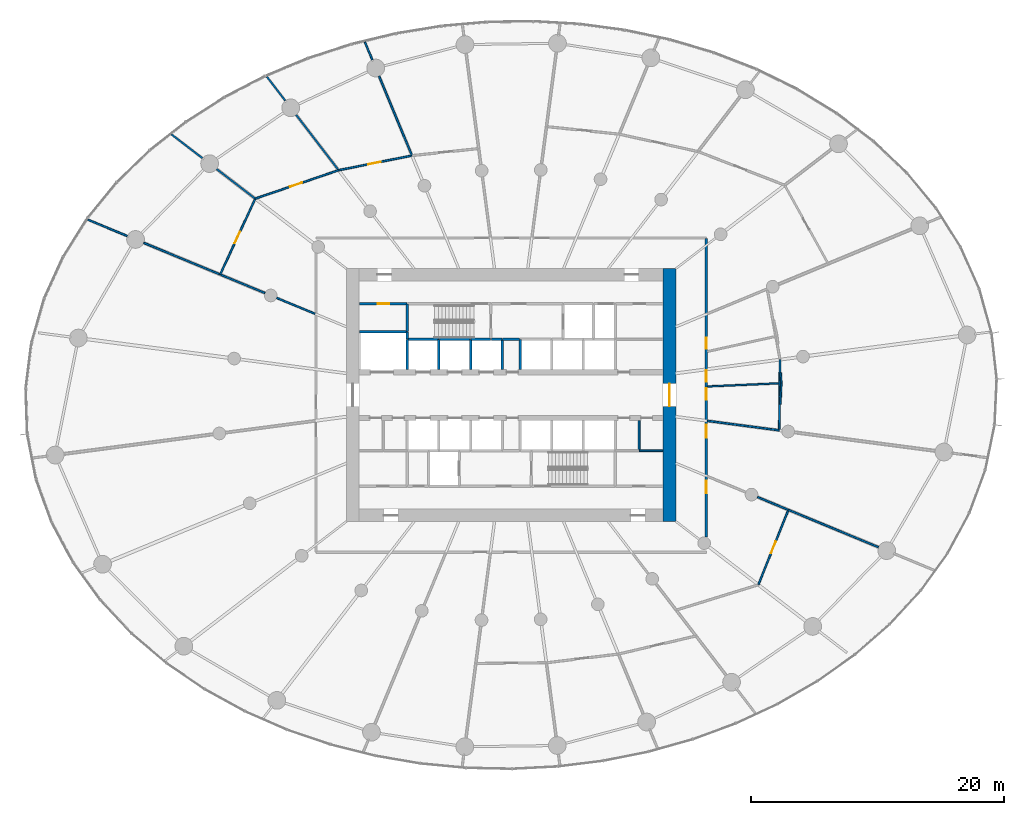
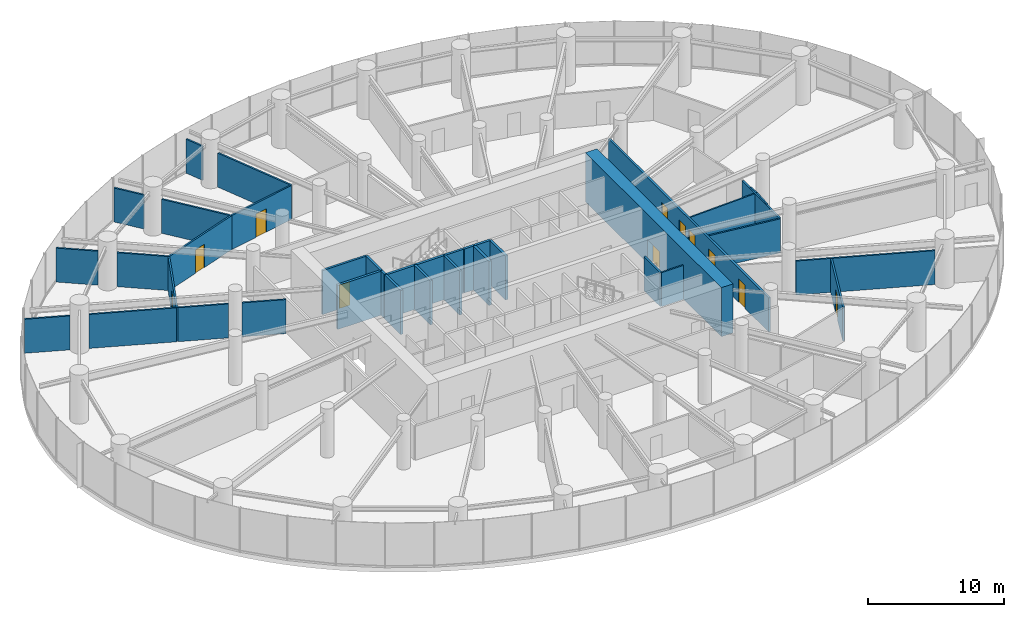
# One storey, part 14 of 19: 39 walls, 11 doors, 11 openings.
"""IFC4 building model written with IfcOpenShell, lengths in metres."""

from ifc_helpers import new_model, si_unit, direction, frame, frame_2d, origin, place, context, subcontext, project, spatial, rectangle, extrude, source, transform, mapped, material, layer, layer_set, type_object, element, fill, save


model = new_model("IFC4")

# Units and contexts
model_context = context("Model", 3, precision=1e-05, world=origin(), true_north=direction((0.0, 1.0)))
body_context = subcontext(model_context, "Body", "Model", "MODEL_VIEW")
ifc_project = project(units=[si_unit("LENGTHUNIT", "METRE"), si_unit("AREAUNIT", "SQUARE_METRE"), si_unit("VOLUMEUNIT", "CUBIC_METRE"), si_unit("PLANEANGLEUNIT", "RADIAN"), si_unit("MASSUNIT", "GRAM", prefix="KILO")], contexts=[model_context])

# Site, building, storey
site_placement = place(None, origin())
site = spatial("IfcSite", under=ifc_project, at=site_placement, CompositionType="ELEMENT")
building_placement = place(site_placement, origin())
building = spatial("IfcBuilding", under=site, at=building_placement, Name="Spindrift Exchange Tower", CompositionType="ELEMENT")
storey_placement = place(building_placement, frame((0.0, 0.0, 27.0)))
storey = spatial("IfcBuildingStorey", under=building, at=storey_placement, Name="L06", CompositionType="ELEMENT", Elevation=27.0)

# Wall, opening, door
ifc_material_1 = material(Name="Concrete 80 MPa", Category="concrete")
ifc_layer_1 = layer(ifc_material_1, 1.0)
ifc_layer_set_1 = layer_set([ifc_layer_1], Name="RC Core Wall 1000 Concrete 80 MPa")
wall_type_1 = type_object("IfcWallType", Name="RC Core Wall 1000 Concrete 80 MPa", PredefinedType="SHEAR", material=ifc_layer_set_1)
wall_1_placement = place(storey_placement, frame((64.5, 38.0, 0.0), z_axis=(0.0, 0.0, 1.0), x_axis=(0.0, 1.0, 0.0)))
wall_1 = element("IfcWall", 1, at=wall_1_placement, inside=storey, type_object=wall_type_1, Name="Core wall E L06", PredefinedType="SHEAR", context=body_context, shape_type="SweptSolid", body=[
    extrude(rectangle(XDim=20.0, YDim=1.0, at=frame_2d((10.0, 0.0))), origin(), (0.0, 0.0, 1.0), 4.39990234375),
])
opening_1_placement = place(wall_1_placement, frame((9.10009765625, 0.0, 0.0)))
opening_1 = element("IfcOpeningElement", 2, at=opening_1_placement, cuts=wall_1, Name="Opening L06-D2", PredefinedType="OPENING", context=body_context, shape_type="SweptSolid", body=[
    extrude(rectangle(XDim=1.800048828125, YDim=2.10009765625, at=frame_2d((0.89990234375, 1.050048828125))), frame((0.0, 0.510009765625, 0.0), z_axis=(0.0, -1.0, 0.0), x_axis=(1.0, 0.0, 0.0)), (0.0, 0.0, 1.0), 1.02001953125),
])
ifc_material_2 = material(Name="Timber-core fire door", Category="wood")
door_type_1 = type_object("IfcDoorType", Name="DR-LOBBY-1800", OperationType="NOTDEFINED", PredefinedType="DOOR", material=ifc_material_2)
shared_shape_1 = source(origin(), body_context, "Body", "SweptSolid", [
    extrude(rectangle(XDim=1.800048828125, YDim=2.10009765625, at=frame_2d((0.89990234375, 1.050048828125))), frame((0.0, 0.02490234375, 0.0), z_axis=(0.0, -1.0, 0.0), x_axis=(1.0, 0.0, 0.0)), (0.0, 0.0, 1.0), 0.050048828125),
])
door_1_placement = place(opening_1_placement, origin())
door_1 = element("IfcDoor", 3, at=door_1_placement, inside=storey, type_object=door_type_1, Name="L06 Lobby door 2", OperationType="SINGLE_SWING_LEFT", OverallHeight=2.10009765625, OverallWidth=1.800048828125, PredefinedType="DOOR", context=body_context, shape_type="MappedRepresentation", body=[
    mapped(shared_shape_1, transform((0.0, 0.0, 0.0), scale=1.0)),
])
fill(opening_1, door_1)

ifc_material_3 = material(Name="Fire-rated plasterboard partition", Category="gypsum")
ifc_layer_2 = layer(ifc_material_3, 0.179931640625)
ifc_layer_set_2 = layer_set([ifc_layer_2], Name="W-CORR-180")
wall_type_2 = type_object("IfcWallType", Name="W-CORR-180", PredefinedType="PARTITIONING", material=ifc_layer_set_2)
wall_2_placement = place(storey_placement, frame((43.77001953125, 55.199951171875, 0.0), z_axis=(0.0, 0.0, 1.0), x_axis=(-1.0, 0.0, 0.0)))
wall_2 = element("IfcWall", 4, at=wall_2_placement, inside=storey, type_object=wall_type_2, Name="L06 Partition wall 62", PredefinedType="PARTITIONING", context=body_context, shape_type="SweptSolid", body=[
    extrude(rectangle(XDim=3.75, YDim=0.179931640625, at=frame_2d((1.875, 0.0))), origin(), (0.0, 0.0, 1.0), 3.949951171875),
])
opening_2_placement = place(wall_2_placement, frame((1.39990234375, 0.0, 0.0)))
opening_2 = element("IfcOpeningElement", 5, at=opening_2_placement, cuts=wall_2, Name="Opening L06-D49", PredefinedType="OPENING", context=body_context, shape_type="SweptSolid", body=[
    extrude(rectangle(XDim=0.89990234375, YDim=2.10009765625, at=frame_2d((0.449951171875, 1.050048828125))), frame((0.0, 0.099853515625, 0.0), z_axis=(0.0, -1.0, 0.0), x_axis=(1.0, 0.0, 0.0)), (0.0, 0.0, 1.0), 0.199951171875),
])
ifc_material_4 = material(Name="Steel access door", Category="steel")
door_type_2 = type_object("IfcDoorType", Name="DR-RISER-900", OperationType="NOTDEFINED", PredefinedType="DOOR", material=ifc_material_4)
shared_shape_2 = source(origin(), body_context, "Body", "SweptSolid", [
    extrude(rectangle(XDim=0.89990234375, YDim=2.10009765625, at=frame_2d((0.449951171875, 1.050048828125))), frame((0.0, 0.02490234375, 0.0), z_axis=(0.0, -1.0, 0.0), x_axis=(1.0, 0.0, 0.0)), (0.0, 0.0, 1.0), 0.050048828125),
])
door_2_placement = place(opening_2_placement, origin())
door_2 = element("IfcDoor", 6, at=door_2_placement, inside=storey, type_object=door_type_2, Name="L06 Riser door 49", OperationType="SINGLE_SWING_RIGHT", OverallHeight=2.10009765625, OverallWidth=0.89990234375, PredefinedType="DOOR", context=body_context, shape_type="MappedRepresentation", body=[
    mapped(shared_shape_2, transform((0.0, 0.0, 0.0), scale=1.0)),
])
fill(opening_2, door_2)

# Wall
ifc_layer_3 = layer(ifc_material_3, 0.139892578125)
ifc_layer_set_3 = layer_set([ifc_layer_3], Name="W-PART-140")
wall_type_3 = type_object("IfcWallType", Name="W-PART-140", PredefinedType="PARTITIONING", material=ifc_layer_set_3)
wall_3_placement = place(storey_placement, frame((73.8828125, 38.935791015625, 0.0), z_axis=(0.0, 0.0, 1.0), x_axis=(0.923874550421, -0.382695459974, 0.0)))
element("IfcWall", 7, at=wall_3_placement, inside=storey, type_object=wall_type_3, Name="L06 Partition wall 68", PredefinedType="PARTITIONING", context=body_context, shape_type="SweptSolid", body=[
    extrude(rectangle(XDim=7.6962890625, YDim=0.139892578125, at=frame_2d((3.84814453125, 0.0))), origin(), (0.0, 0.0, 1.0), 3.050048828125),
])

# Wall, opening, door
wall_4_placement = place(storey_placement, frame((31.80224609375, 63.498291015625, 0.0), z_axis=(0.0, 0.0, 1.0), x_axis=(0.946437795965, 0.322886200337, 0.0)))
wall_4 = element("IfcWall", 8, at=wall_4_placement, inside=storey, type_object=wall_type_3, Name="L06 Partition wall 74", PredefinedType="PARTITIONING", context=body_context, shape_type="SweptSolid", body=[
    extrude(rectangle(XDim=6.954833984375, YDim=0.139892578125, at=frame_2d((3.4775390625, 0.0))), origin(), (0.0, 0.0, 1.0), 3.050048828125),
])
opening_3_placement = place(wall_4_placement, frame((2.90478515625, 0.0, 0.0)))
opening_3 = element("IfcOpeningElement", 9, at=opening_3_placement, cuts=wall_4, Name="Opening L06-D37", PredefinedType="OPENING", context=body_context, shape_type="SweptSolid", body=[
    extrude(rectangle(XDim=1.0, YDim=2.10009765625, at=frame_2d((0.5, 1.050048828125))), frame((0.0, 0.079833984375, 0.0), z_axis=(0.0, -1.0, 0.0), x_axis=(1.0, 0.0, 0.0)), (0.0, 0.0, 1.0), 0.159912109375),
])
door_type_3 = type_object("IfcDoorType", Name="DR-ROOM-1000", OperationType="NOTDEFINED", PredefinedType="DOOR", material=ifc_material_2)
shared_shape_3 = source(origin(), body_context, "Body", "SweptSolid", [
    extrude(rectangle(XDim=1.0, YDim=2.10009765625, at=frame_2d((0.5, 1.050048828125))), frame((0.0, 0.02490234375, 0.0), z_axis=(0.0, -1.0, 0.0), x_axis=(1.0, 0.0, 0.0)), (0.0, 0.0, 1.0), 0.050048828125),
])
door_3_placement = place(opening_3_placement, origin())
door_3 = element("IfcDoor", 10, at=door_3_placement, inside=storey, type_object=door_type_3, Name="L06 Door 37", OperationType="SINGLE_SWING_RIGHT", OverallHeight=2.10009765625, OverallWidth=1.0, PredefinedType="DOOR", context=body_context, shape_type="MappedRepresentation", body=[
    mapped(shared_shape_3, transform((0.0, 0.0, 0.0), scale=1.0)),
])
fill(opening_3, door_3)

# Wall
wall_5_placement = place(storey_placement, frame((44.1728515625, 66.896484375, 0.0), z_axis=(0.0, 0.0, 1.0), x_axis=(-0.38268058501, 0.923880711919, 0.0)))
element("IfcWall", 11, at=wall_5_placement, inside=storey, type_object=wall_type_3, Name="L06 Partition wall 76", PredefinedType="PARTITIONING", context=body_context, shape_type="SweptSolid", body=[
    extrude(rectangle(XDim=6.776611328125, YDim=0.139892578125, at=frame_2d((3.38818359375, 0.0))), origin(), (0.0, 0.0, 1.0), 3.050048828125),
])

# Wall, opening, door
wall_6_placement = place(storey_placement, frame((29.03662109375, 57.51171875, 0.0), z_axis=(0.0, 0.0, 1.0), x_axis=(0.419404841199, 0.907799305562, 0.0)))
wall_6 = element("IfcWall", 12, at=wall_6_placement, inside=storey, type_object=wall_type_3, Name="L06 Partition wall 77", PredefinedType="PARTITIONING", context=body_context, shape_type="SweptSolid", body=[
    extrude(rectangle(XDim=6.564453125, YDim=0.139892578125, at=frame_2d((3.2822265625, 0.0))), origin(), (0.0, 0.0, 1.0), 3.050048828125),
])
opening_4_placement = place(wall_6_placement, frame((2.714599609375, 0.0, 0.0)))
opening_4 = element("IfcOpeningElement", 13, at=opening_4_placement, cuts=wall_6, Name="Opening L06-D38", PredefinedType="OPENING", context=body_context, shape_type="SweptSolid", body=[
    extrude(rectangle(XDim=1.0, YDim=2.10009765625, at=frame_2d((0.5, 1.050048828125))), frame((0.0, 0.079833984375, 0.0), z_axis=(0.0, -1.0, 0.0), x_axis=(1.0, 0.0, 0.0)), (0.0, 0.0, 1.0), 0.159912109375),
])
door_4_placement = place(opening_4_placement, origin())
door_4 = element("IfcDoor", 14, at=door_4_placement, inside=storey, type_object=door_type_3, Name="L06 Door 38", OperationType="SINGLE_SWING_LEFT", OverallHeight=2.10009765625, OverallWidth=1.0, PredefinedType="DOOR", context=body_context, shape_type="MappedRepresentation", body=[
    mapped(shared_shape_3, transform((0.0, 0.0, 0.0), scale=1.0)),
])
fill(opening_4, door_4)

wall_7_placement = place(storey_placement, frame((38.4140625, 65.749755859375, 0.0), z_axis=(0.0, 0.0, 1.0), x_axis=(0.980735776519, 0.195339030034, 0.0)))
wall_7 = element("IfcWall", 15, at=wall_7_placement, inside=storey, type_object=wall_type_3, Name="L06 Partition wall 84", PredefinedType="PARTITIONING", context=body_context, shape_type="SweptSolid", body=[
    extrude(rectangle(XDim=5.800537109375, YDim=0.139892578125, at=frame_2d((2.900390625, 0.0))), origin(), (0.0, 0.0, 1.0), 3.050048828125),
])
opening_5_placement = place(wall_7_placement, frame((2.3505859375, 0.0, 0.0)))
opening_5 = element("IfcOpeningElement", 16, at=opening_5_placement, cuts=wall_7, Name="Opening L06-D36", PredefinedType="OPENING", context=body_context, shape_type="SweptSolid", body=[
    extrude(rectangle(XDim=1.0, YDim=2.10009765625, at=frame_2d((0.5, 1.050048828125))), frame((0.0, 0.079833984375, 0.0), z_axis=(0.0, -1.0, 0.0), x_axis=(1.0, 0.0, 0.0)), (0.0, 0.0, 1.0), 0.159912109375),
])
door_5_placement = place(opening_5_placement, origin())
door_5 = element("IfcDoor", 17, at=door_5_placement, inside=storey, type_object=door_type_3, Name="L06 Door 36", OperationType="SINGLE_SWING_LEFT", OverallHeight=2.10009765625, OverallWidth=1.0, PredefinedType="DOOR", context=body_context, shape_type="MappedRepresentation", body=[
    mapped(shared_shape_3, transform((0.0, 0.0, 0.0), scale=1.0)),
])
fill(opening_5, door_5)

# Walls
wall_8_placement = place(storey_placement, frame((67.489990234375, 45.960693359375, 0.0), z_axis=(0.0, 0.0, 1.0), x_axis=(0.991446015801, -0.130517423176, 0.0)))
element("IfcWall", 18, at=wall_8_placement, inside=storey, type_object=wall_type_3, Name="L06 Partition wall 87", PredefinedType="PARTITIONING", context=body_context, shape_type="SweptSolid", body=[
    extrude(rectangle(XDim=5.721923828125, YDim=0.139892578125, at=frame_2d((2.86083984375, 0.0))), origin(), (0.0, 0.0, 1.0), 3.050048828125),
])
wall_9_placement = place(storey_placement, frame((73.163818359375, 45.2841796875, 0.0), z_axis=(0.0, 0.0, 1.0), x_axis=(0.01027995485, 0.999947159868, 0.0)))
element("IfcWall", 19, at=wall_9_placement, inside=storey, type_object=wall_type_3, Name="L06 Partition wall 90", PredefinedType="PARTITIONING", context=body_context, shape_type="SweptSolid", body=[
    extrude(rectangle(XDim=5.509765625, YDim=0.139892578125, at=frame_2d((2.7548828125, 0.0))), origin(), (0.0, 0.0, 1.0), 3.050048828125),
])
wall_10_placement = place(storey_placement, frame((38.339599609375, 65.802490234375, 0.0), z_axis=(0.0, 0.0, 1.0), x_axis=(-0.608763541662, 0.793351719191, 0.0)))
element("IfcWall", 20, at=wall_10_placement, inside=storey, type_object=wall_type_3, Name="L06 Partition wall 93", PredefinedType="PARTITIONING", context=body_context, shape_type="SweptSolid", body=[
    extrude(rectangle(XDim=5.433349609375, YDim=0.139892578125, at=frame_2d((2.716796875, 0.0))), origin(), (0.0, 0.0, 1.0), 3.050048828125),
])
wall_11_placement = place(storey_placement, frame((31.778564453125, 63.5166015625, 0.0), z_axis=(0.0, 0.0, 1.0), x_axis=(-0.793395753835, 0.608706150615, 0.0)))
element("IfcWall", 21, at=wall_11_placement, inside=storey, type_object=wall_type_3, Name="L06 Partition wall 105", PredefinedType="PARTITIONING", context=body_context, shape_type="SweptSolid", body=[
    extrude(rectangle(XDim=3.80712890625, YDim=0.139892578125, at=frame_2d((1.903564453125, 0.0))), origin(), (0.0, 0.0, 1.0), 3.050048828125),
])
wall_12_placement = place(storey_placement, frame((27.640625, 66.69140625, 0.0), z_axis=(0.0, 0.0, 1.0), x_axis=(-0.793319039327, 0.608806128288, 0.0)))
element("IfcWall", 22, at=wall_12_placement, inside=storey, type_object=wall_type_3, Name="L06 Partition wall 112", PredefinedType="PARTITIONING", context=body_context, shape_type="SweptSolid", body=[
    extrude(rectangle(XDim=3.10546875, YDim=0.139892578125, at=frame_2d((1.552734375, 0.0))), origin(), (0.0, 0.0, 1.0), 3.050048828125),
])
wall_13_placement = place(storey_placement, frame((62.10009765625, 43.60009765625, 0.0), z_axis=(0.0, 0.0, 1.0), x_axis=(0.0, 1.0, 0.0)))
element("IfcWall", 23, at=wall_13_placement, inside=storey, type_object=wall_type_3, Name="L06 Partition wall 120", PredefinedType="PARTITIONING", context=body_context, shape_type="SweptSolid", body=[
    extrude(rectangle(XDim=2.389892578125, YDim=0.139892578125, at=frame_2d((1.19482421875, 0.0))), origin(), (0.0, 0.0, 1.0), 3.050048828125),
])
wall_14_placement = place(storey_placement, frame((34.1748046875, 71.23046875, 0.0), z_axis=(0.0, 0.0, 1.0), x_axis=(-0.608785845346, 0.793334604379, 0.0)))
element("IfcWall", 24, at=wall_14_placement, inside=storey, type_object=wall_type_3, Name="L06 Partition wall 122", PredefinedType="PARTITIONING", context=body_context, shape_type="SweptSolid", body=[
    extrude(rectangle(XDim=2.386474609375, YDim=0.139892578125, at=frame_2d((1.193359375, 0.0))), origin(), (0.0, 0.0, 1.0), 3.050048828125),
])
wall_15_placement = place(storey_placement, frame((62.1298828125, 43.60009765625, 0.0), z_axis=(0.0, 0.0, 1.0), x_axis=(1.0, 0.0, 0.0)))
element("IfcWall", 25, at=wall_15_placement, inside=storey, type_object=wall_type_3, Name="L06 Partition wall 127", PredefinedType="PARTITIONING", context=body_context, shape_type="SweptSolid", body=[
    extrude(rectangle(XDim=1.85009765625, YDim=0.139892578125, at=frame_2d((0.925048828125, 0.0))), origin(), (0.0, 0.0, 1.0), 3.050048828125),
])
wall_16_placement = place(storey_placement, frame((41.039794921875, 74.4599609375, 0.0), z_axis=(0.0, 0.0, 1.0), x_axis=(-0.382521566015, 0.923946563138, 0.0)))
element("IfcWall", 26, at=wall_16_placement, inside=storey, type_object=wall_type_3, Name="L06 Partition wall 128", PredefinedType="PARTITIONING", context=body_context, shape_type="SweptSolid", body=[
    extrude(rectangle(XDim=1.524169921875, YDim=0.139892578125, at=frame_2d((0.76220703125, 0.0))), origin(), (0.0, 0.0, 1.0), 3.050048828125),
])
ifc_layer_4 = layer(ifc_material_3, 0.139892578125)
ifc_layer_set_4 = layer_set([ifc_layer_4], Name="W-PLANT-140")
wall_type_4 = type_object("IfcWallType", Name="W-PLANT-140", PredefinedType="PARTITIONING", material=ifc_layer_set_4)
wall_17_placement = place(storey_placement, frame((29.009033203125, 57.523193359375, 0.0), z_axis=(0.0, 0.0, 1.0), x_axis=(-0.923872097861, 0.382701380705, 0.0)))
element("IfcWall", 27, at=wall_17_placement, inside=storey, type_object=wall_type_4, Name="L06 Partition wall 78", PredefinedType="PARTITIONING", context=body_context, shape_type="SweptSolid", body=[
    extrude(rectangle(XDim=6.496826171875, YDim=0.139892578125, at=frame_2d((3.24853515625, 0.0))), origin(), (0.0, 0.0, 1.0), 3.050048828125),
])

# Wall, opening, door
wall_18_placement = place(storey_placement, frame((73.856689453125, 38.870849609375, 0.0), z_axis=(0.0, 0.0, 1.0), x_axis=(-0.372364534272, -0.928086555024, 0.0)))
wall_18 = element("IfcWall", 28, at=wall_18_placement, inside=storey, type_object=wall_type_4, Name="L06 Partition wall 80", PredefinedType="PARTITIONING", context=body_context, shape_type="SweptSolid", body=[
    extrude(rectangle(XDim=6.26611328125, YDim=0.139892578125, at=frame_2d((3.133056640625, 0.0))), origin(), (0.0, 0.0, 1.0), 3.050048828125),
])
opening_6_placement = place(wall_18_placement, frame((2.615966796875, 0.0, 0.0)))
opening_6 = element("IfcOpeningElement", 29, at=opening_6_placement, cuts=wall_18, Name="Opening L06-D47", PredefinedType="OPENING", context=body_context, shape_type="SweptSolid", body=[
    extrude(rectangle(XDim=1.0, YDim=2.10009765625, at=frame_2d((0.5, 1.050048828125))), frame((0.0, 0.079833984375, 0.0), z_axis=(0.0, -1.0, 0.0), x_axis=(1.0, 0.0, 0.0)), (0.0, 0.0, 1.0), 0.159912109375),
])
door_6_placement = place(opening_6_placement, origin())
door_6 = element("IfcDoor", 30, at=door_6_placement, inside=storey, type_object=door_type_3, Name="L06 Door 47", OperationType="SINGLE_SWING_RIGHT", OverallHeight=2.10009765625, OverallWidth=1.0, PredefinedType="DOOR", context=body_context, shape_type="MappedRepresentation", body=[
    mapped(shared_shape_3, transform((0.0, 0.0, 0.0), scale=1.0)),
])
fill(opening_6, door_6)

# Walls
wall_19_placement = place(storey_placement, frame((32.560791015625, 56.052001953125, 0.0), z_axis=(0.0, 0.0, 1.0), x_axis=(-0.923888895389, 0.382660827596, 0.0)))
element("IfcWall", 31, at=wall_19_placement, inside=storey, type_object=wall_type_4, Name="L06 Partition wall 106", PredefinedType="PARTITIONING", context=body_context, shape_type="SweptSolid", body=[
    extrude(rectangle(XDim=3.744384765625, YDim=0.139892578125, at=frame_2d((1.8720703125, 0.0))), origin(), (0.0, 0.0, 1.0), 3.050048828125),
])
wall_20_placement = place(storey_placement, frame((21.7041015625, 60.549072265625, 0.0), z_axis=(0.0, 0.0, 1.0), x_axis=(-0.923894038604, 0.382648409681, 0.0)))
element("IfcWall", 32, at=wall_20_placement, inside=storey, type_object=wall_type_4, Name="L06 Partition wall 109", PredefinedType="PARTITIONING", context=body_context, shape_type="SweptSolid", body=[
    extrude(rectangle(XDim=3.3681640625, YDim=0.139892578125, at=frame_2d((1.68408203125, 0.0))), origin(), (0.0, 0.0, 1.0), 3.050048828125),
])
wall_21_placement = place(storey_placement, frame((36.510009765625, 54.416259765625, 0.0), z_axis=(0.0, 0.0, 1.0), x_axis=(-0.923911109142, 0.382607190737, 0.0)))
element("IfcWall", 33, at=wall_21_placement, inside=storey, type_object=wall_type_4, Name="L06 Partition wall 110", PredefinedType="PARTITIONING", context=body_context, shape_type="SweptSolid", body=[
    extrude(rectangle(XDim=3.264404296875, YDim=0.139892578125, at=frame_2d((1.63232421875, 0.0))), origin(), (0.0, 0.0, 1.0), 3.050048828125),
])
wall_22_placement = place(storey_placement, frame((71.439208984375, 39.947998046875, 0.0), z_axis=(0.0, 0.0, 1.0), x_axis=(0.923867754, -0.382711866968, 0.0)))
element("IfcWall", 34, at=wall_22_placement, inside=storey, type_object=wall_type_4, Name="L06 Partition wall 116", PredefinedType="PARTITIONING", context=body_context, shape_type="SweptSolid", body=[
    extrude(rectangle(XDim=2.61474609375, YDim=0.139892578125, at=frame_2d((1.307373046875, 0.0))), origin(), (0.0, 0.0, 1.0), 3.050048828125),
])

# Wall, openings, doors
ifc_layer_5 = layer(ifc_material_3, 0.179931640625)
ifc_layer_set_5 = layer_set([ifc_layer_5], Name="W-PLANT-180")
wall_type_5 = type_object("IfcWallType", Name="W-PLANT-180", PredefinedType="PARTITIONING", material=ifc_layer_set_5)
wall_23_placement = place(storey_placement, frame((67.39990234375, 60.3701171875, 0.0), z_axis=(0.0, 0.0, 1.0), x_axis=(0.0, -1.0, 0.0)))
wall_23 = element("IfcWall", 35, at=wall_23_placement, inside=storey, type_object=wall_type_5, Name="L06 Partition wall 59", PredefinedType="PARTITIONING", context=body_context, shape_type="SweptSolid", body=[
    extrude(rectangle(XDim=23.58251953125, YDim=0.179931640625, at=frame_2d((11.791259765625, 0.0))), origin(), (0.0, 0.0, 1.0), 3.050048828125),
])
opening_7_placement = place(wall_23_placement, frame((11.83251953125, 0.0, 0.0)))
opening_7 = element("IfcOpeningElement", 36, at=opening_7_placement, cuts=wall_23, Name="Opening L06-D24", PredefinedType="OPENING", context=body_context, shape_type="SweptSolid", body=[
    extrude(rectangle(XDim=0.89990234375, YDim=2.10009765625, at=frame_2d((0.449951171875, 1.050048828125))), frame((0.0, 0.099853515625, 0.0), z_axis=(0.0, -1.0, 0.0), x_axis=(1.0, 0.0, 0.0)), (0.0, 0.0, 1.0), 0.199951171875),
])
opening_8_placement = place(wall_23_placement, frame((10.4326171875, 0.0, 0.0)))
opening_8 = element("IfcOpeningElement", 37, at=opening_8_placement, cuts=wall_23, Name="Opening L06-D25", PredefinedType="OPENING", context=body_context, shape_type="SweptSolid", body=[
    extrude(rectangle(XDim=0.89990234375, YDim=2.10009765625, at=frame_2d((0.449951171875, 1.050048828125))), frame((0.0, 0.099853515625, 0.0), z_axis=(0.0, -1.0, 0.0), x_axis=(1.0, 0.0, 0.0)), (0.0, 0.0, 1.0), 0.199951171875),
])
opening_9_placement = place(wall_23_placement, frame((7.83251953125, 0.0, 0.0)))
opening_9 = element("IfcOpeningElement", 38, at=opening_9_placement, cuts=wall_23, Name="Opening L06-D26", PredefinedType="OPENING", context=body_context, shape_type="SweptSolid", body=[
    extrude(rectangle(XDim=0.89990234375, YDim=2.10009765625, at=frame_2d((0.449951171875, 1.050048828125))), frame((0.0, 0.099853515625, 0.0), z_axis=(0.0, -1.0, 0.0), x_axis=(1.0, 0.0, 0.0)), (0.0, 0.0, 1.0), 0.199951171875),
])
opening_10_placement = place(wall_23_placement, frame((19.132568359375, 0.0, 0.0)))
opening_10 = element("IfcOpeningElement", 39, at=opening_10_placement, cuts=wall_23, Name="Opening L06-D46", PredefinedType="OPENING", context=body_context, shape_type="SweptSolid", body=[
    extrude(rectangle(XDim=1.0, YDim=2.10009765625, at=frame_2d((0.5, 1.050048828125))), frame((0.0, 0.099853515625, 0.0), z_axis=(0.0, -1.0, 0.0), x_axis=(1.0, 0.0, 0.0)), (0.0, 0.0, 1.0), 0.199951171875),
])
opening_11_placement = place(wall_23_placement, frame((14.732421875, 0.0, 0.0)))
opening_11 = element("IfcOpeningElement", 40, at=opening_11_placement, cuts=wall_23, Name="Opening L06-D48", PredefinedType="OPENING", context=body_context, shape_type="SweptSolid", body=[
    extrude(rectangle(XDim=1.0, YDim=2.10009765625, at=frame_2d((0.5, 1.050048828125))), frame((0.0, 0.099853515625, 0.0), z_axis=(0.0, -1.0, 0.0), x_axis=(1.0, 0.0, 0.0)), (0.0, 0.0, 1.0), 0.199951171875),
])
door_7_placement = place(opening_10_placement, origin())
door_7 = element("IfcDoor", 41, at=door_7_placement, inside=storey, type_object=door_type_3, Name="L06 Door 46", OperationType="SINGLE_SWING_LEFT", OverallHeight=2.10009765625, OverallWidth=1.0, PredefinedType="DOOR", context=body_context, shape_type="MappedRepresentation", body=[
    mapped(shared_shape_3, transform((0.0, 0.0, 0.0), scale=1.0)),
])
fill(opening_10, door_7)
door_8_placement = place(opening_11_placement, origin())
door_8 = element("IfcDoor", 42, at=door_8_placement, inside=storey, type_object=door_type_3, Name="L06 Door 48", OperationType="SINGLE_SWING_LEFT", OverallHeight=2.10009765625, OverallWidth=1.0, PredefinedType="DOOR", context=body_context, shape_type="MappedRepresentation", body=[
    mapped(shared_shape_3, transform((0.0, 0.0, 0.0), scale=1.0)),
])
fill(opening_11, door_8)
ifc_material_5 = material(Name="Laminate washroom door", Category="wood")
door_type_4 = type_object("IfcDoorType", Name="DR-WC-900", OperationType="NOTDEFINED", PredefinedType="DOOR", material=ifc_material_5)
shared_shape_4 = source(origin(), body_context, "Body", "SweptSolid", [
    extrude(rectangle(XDim=0.89990234375, YDim=2.10009765625, at=frame_2d((0.449951171875, 1.050048828125))), frame((0.0, 0.02490234375, 0.0), z_axis=(0.0, -1.0, 0.0), x_axis=(1.0, 0.0, 0.0)), (0.0, 0.0, 1.0), 0.050048828125),
])
door_9_placement = place(opening_7_placement, origin())
door_9 = element("IfcDoor", 43, at=door_9_placement, inside=storey, type_object=door_type_4, Name="L06 WC door 24", OperationType="SINGLE_SWING_LEFT", OverallHeight=2.10009765625, OverallWidth=0.89990234375, PredefinedType="DOOR", context=body_context, shape_type="MappedRepresentation", body=[
    mapped(shared_shape_4, transform((0.0, 0.0, 0.0), scale=1.0)),
])
fill(opening_7, door_9)
door_10_placement = place(opening_8_placement, origin())
door_10 = element("IfcDoor", 44, at=door_10_placement, inside=storey, type_object=door_type_4, Name="L06 WC door 25", OperationType="SINGLE_SWING_RIGHT", OverallHeight=2.10009765625, OverallWidth=0.89990234375, PredefinedType="DOOR", context=body_context, shape_type="MappedRepresentation", body=[
    mapped(shared_shape_4, transform((0.0, 0.0, 0.0), scale=1.0)),
])
fill(opening_8, door_10)
door_11_placement = place(opening_9_placement, origin())
door_11 = element("IfcDoor", 45, at=door_11_placement, inside=storey, type_object=door_type_4, Name="L06 WC door 26", OperationType="SINGLE_SWING_LEFT", OverallHeight=2.10009765625, OverallWidth=0.89990234375, PredefinedType="DOOR", context=body_context, shape_type="MappedRepresentation", body=[
    mapped(shared_shape_4, transform((0.0, 0.0, 0.0), scale=1.0)),
])
fill(opening_9, door_11)

# Walls
ifc_material_6 = material(Name="Concrete 40 MPa", Category="concrete")
ifc_layer_6 = layer(ifc_material_6, 0.199951171875)
ifc_layer_set_6 = layer_set([ifc_layer_6], Name="W-SHAFT-200")
wall_type_6 = type_object("IfcWallType", Name="W-SHAFT-200", PredefinedType="SOLIDWALL", material=ifc_layer_set_6)
wall_24_placement = place(storey_placement, frame((51.300048828125, 50.010009765625, 0.0), z_axis=(0.0, 0.0, 1.0), x_axis=(0.0, 1.0, 0.0)))
element("IfcWall", 46, at=wall_24_placement, inside=storey, type_object=wall_type_6, Name="L06 Shaft wall 30", PredefinedType="SOLIDWALL", context=body_context, shape_type="SweptSolid", body=[
    extrude(rectangle(XDim=2.389892578125, YDim=0.199951171875, at=frame_2d((1.19482421875, 0.0))), origin(), (0.0, 0.0, 1.0), 3.949951171875),
])
wall_25_placement = place(storey_placement, frame((52.699951171875, 52.3701171875, 0.0), z_axis=(0.0, 0.0, 1.0), x_axis=(0.0, -1.0, 0.0)))
element("IfcWall", 47, at=wall_25_placement, inside=storey, type_object=wall_type_6, Name="L06 Shaft wall 32", PredefinedType="SOLIDWALL", context=body_context, shape_type="SweptSolid", body=[
    extrude(rectangle(XDim=2.360107421875, YDim=0.199951171875, at=frame_2d((1.18017578125, 0.0))), origin(), (0.0, 0.0, 1.0), 3.949951171875),
])
wall_26_placement = place(storey_placement, frame((51.330078125, 52.39990234375, 0.0), z_axis=(0.0, 0.0, 1.0), x_axis=(1.0, 0.0, 0.0)))
element("IfcWall", 48, at=wall_26_placement, inside=storey, type_object=wall_type_6, Name="L06 Shaft wall 49", PredefinedType="SOLIDWALL", context=body_context, shape_type="SweptSolid", body=[
    extrude(rectangle(XDim=1.33984375, YDim=0.199951171875, at=frame_2d((0.669921875, 0.0))), origin(), (0.0, 0.0, 1.0), 3.949951171875),
])
ifc_layer_7 = layer(ifc_material_6, 0.199951171875)
ifc_layer_set_7 = layer_set([ifc_layer_7], Name="W-SHAFT-200-LB")
wall_type_7 = type_object("IfcWallType", Name="W-SHAFT-200-LB", PredefinedType="SOLIDWALL", material=ifc_layer_set_7)
wall_27_placement = place(storey_placement, frame((43.800048828125, 53.0, 0.0), z_axis=(0.0, 0.0, 1.0), x_axis=(-1.0, 0.0, 0.0)))
element("IfcWall", 49, at=wall_27_placement, inside=storey, type_object=wall_type_7, Name="L06 Shaft wall 5", PredefinedType="SOLIDWALL", context=body_context, shape_type="SweptSolid", body=[
    extrude(rectangle(XDim=3.780029296875, YDim=0.199951171875, at=frame_2d((1.89013671875, 0.0))), origin(), (0.0, 0.0, 1.0), 3.949951171875),
])
wall_28_placement = place(storey_placement, frame((46.300048828125, 52.39990234375, 0.0), z_axis=(0.0, 0.0, 1.0), x_axis=(-1.0, 0.0, 0.0)))
element("IfcWall", 50, at=wall_28_placement, inside=storey, type_object=wall_type_7, Name="L06 Shaft wall 15", PredefinedType="SOLIDWALL", context=body_context, shape_type="SweptSolid", body=[
    extrude(rectangle(XDim=2.5, YDim=0.199951171875, at=frame_2d((1.25, 0.0))), origin(), (0.0, 0.0, 1.0), 3.949951171875),
])
wall_29_placement = place(storey_placement, frame((48.800048828125, 52.39990234375, 0.0), z_axis=(0.0, 0.0, 1.0), x_axis=(-1.0, 0.0, 0.0)))
element("IfcWall", 51, at=wall_29_placement, inside=storey, type_object=wall_type_7, Name="L06 Shaft wall 16", PredefinedType="SOLIDWALL", context=body_context, shape_type="SweptSolid", body=[
    extrude(rectangle(XDim=2.469970703125, YDim=0.199951171875, at=frame_2d((1.23486328125, 0.0))), origin(), (0.0, 0.0, 1.0), 3.949951171875),
])
for number, where, z_axis, x_axis, name in (
    (52, (43.800048828125, 52.3701171875, 0.0), (0.0, 0.0, 1.0), (0.0, -1.0, 0.0), "L06 Shaft wall 24"),
    (53, (46.300048828125, 50.010009765625, 0.0), (0.0, 0.0, 1.0), (0.0, 1.0, 0.0), "L06 Shaft wall 26"),
    (54, (48.800048828125, 50.010009765625, 0.0), (0.0, 0.0, 1.0), (0.0, 1.0, 0.0), "L06 Shaft wall 28"),
):
    element("IfcWall", number, at=place(storey_placement, frame(where, z_axis=z_axis, x_axis=x_axis)), inside=storey, type_object=wall_type_7, Name=name, PredefinedType="SOLIDWALL", context=body_context, shape_type="SweptSolid", body=[
        extrude(rectangle(XDim=2.360107421875, YDim=0.199951171875, at=frame_2d((1.18017578125, 0.0))), origin(), (0.0, 0.0, 1.0), 3.949951171875),
    ])
wall_30_placement = place(storey_placement, frame((43.800048828125, 55.169921875, 0.0), z_axis=(0.0, 0.0, 1.0), x_axis=(0.0, -1.0, 0.0)))
element("IfcWall", 55, at=wall_30_placement, inside=storey, type_object=wall_type_7, Name="L06 Shaft wall 39", PredefinedType="SOLIDWALL", context=body_context, shape_type="SweptSolid", body=[
    extrude(rectangle(XDim=2.139892578125, YDim=0.199951171875, at=frame_2d((1.06982421875, 0.0))), origin(), (0.0, 0.0, 1.0), 3.949951171875),
])
wall_31_placement = place(storey_placement, frame((50.3701171875, 52.39990234375, 0.0), z_axis=(0.0, 0.0, 1.0), x_axis=(-1.0, 0.0, 0.0)))
element("IfcWall", 56, at=wall_31_placement, inside=storey, type_object=wall_type_7, Name="L06 Shaft wall 45", PredefinedType="SOLIDWALL", context=body_context, shape_type="SweptSolid", body=[
    extrude(rectangle(XDim=1.5400390625, YDim=0.199951171875, at=frame_2d((0.77001953125, 0.0))), origin(), (0.0, 0.0, 1.0), 3.949951171875),
])
wall_32_placement = place(storey_placement, frame((51.27001953125, 52.39990234375, 0.0), z_axis=(0.0, 0.0, 1.0), x_axis=(-1.0, 0.0, 0.0)))
element("IfcWall", 57, at=wall_32_placement, inside=storey, type_object=wall_type_7, Name="L06 Shaft wall 51", PredefinedType="SOLIDWALL", context=body_context, shape_type="SweptSolid", body=[
    extrude(rectangle(XDim=0.840087890625, YDim=0.199951171875, at=frame_2d((0.419921875, 0.0))), origin(), (0.0, 0.0, 1.0), 3.949951171875),
])
wall_33_placement = place(storey_placement, frame((43.800048828125, 52.429931640625, 0.0), z_axis=(0.0, 0.0, 1.0), x_axis=(0.0, 1.0, 0.0)))
element("IfcWall", 58, at=wall_33_placement, inside=storey, type_object=wall_type_7, Name="L06 Shaft wall 56", PredefinedType="SOLIDWALL", context=body_context, shape_type="SweptSolid", body=[
    extrude(rectangle(XDim=0.5400390625, YDim=0.199951171875, at=frame_2d((0.27001953125, 0.0))), origin(), (0.0, 0.0, 1.0), 3.949951171875),
])
ifc_layer_8 = layer(ifc_material_3, 0.1201171875)
ifc_layer_set_8 = layer_set([ifc_layer_8], Name="W-WET-120")
wall_type_8 = type_object("IfcWallType", Name="W-WET-120", PredefinedType="PARTITIONING", material=ifc_layer_set_8)
wall_34_placement = place(storey_placement, frame((67.489990234375, 48.67626953125, 0.0), z_axis=(0.0, 0.0, 1.0), x_axis=(0.999047900763, 0.043626734695, 0.0)))
element("IfcWall", 59, at=wall_34_placement, inside=storey, type_object=wall_type_8, Name="L06 Partition wall 141", PredefinedType="PARTITIONING", context=body_context, shape_type="SweptSolid", body=[
    extrude(rectangle(XDim=5.646484375, YDim=0.1201171875, at=frame_2d((2.8232421875, 0.0))), origin(), (0.0, 0.0, 1.0), 3.050048828125),
])
wall_35_placement = place(storey_placement, frame((73.254150390625, 47.26611328125, 0.0), z_axis=(0.0, 0.0, 1.0), x_axis=(0.044384369805, 0.999014528281, 0.0)))
element("IfcWall", 60, at=wall_35_placement, inside=storey, type_object=wall_type_8, Name="L06 Partition wall 144", PredefinedType="PARTITIONING", context=body_context, shape_type="SweptSolid", body=[
    extrude(rectangle(XDim=1.666748046875, YDim=0.1201171875, at=frame_2d((0.83349609375, 0.0))), origin(), (0.0, 0.0, 1.0), 3.050048828125),
])
wall_36_placement = place(storey_placement, frame((73.326416015625, 48.961181640625, 0.0), z_axis=(0.0, 0.0, 1.0), x_axis=(-0.05788698247, 0.998323142705, 0.0)))
element("IfcWall", 61, at=wall_36_placement, inside=storey, type_object=wall_type_8, Name="L06 Partition wall 146", PredefinedType="PARTITIONING", context=body_context, shape_type="SweptSolid", body=[
    extrude(rectangle(XDim=0.8056640625, YDim=0.1201171875, at=frame_2d((0.40283203125, 0.0))), origin(), (0.0, 0.0, 1.0), 3.050048828125),
])

save(model, "model.ifc")
